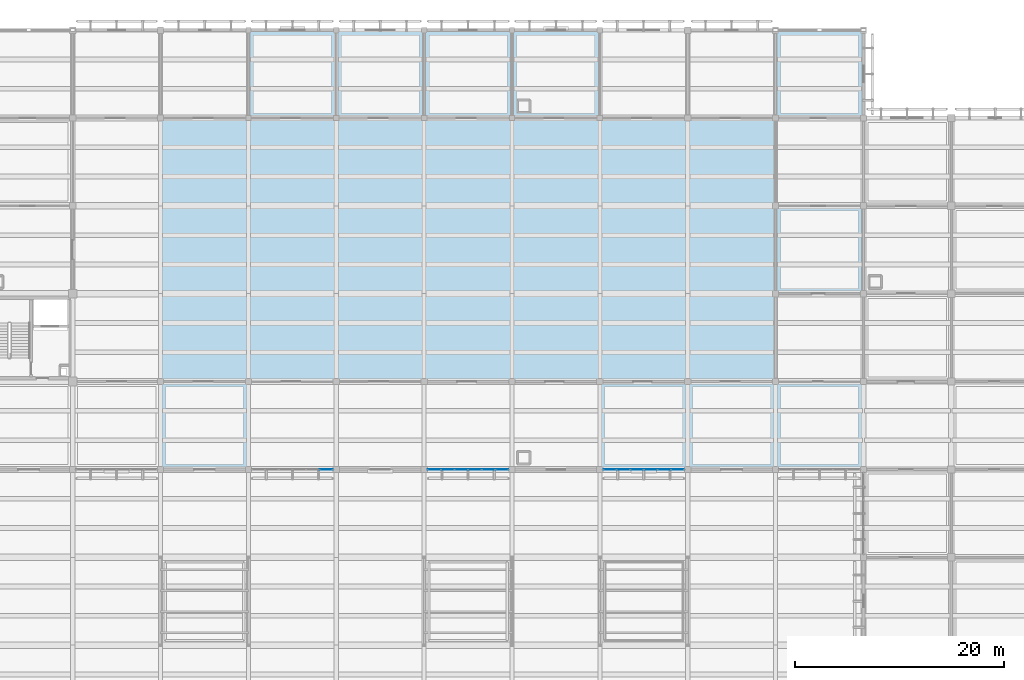
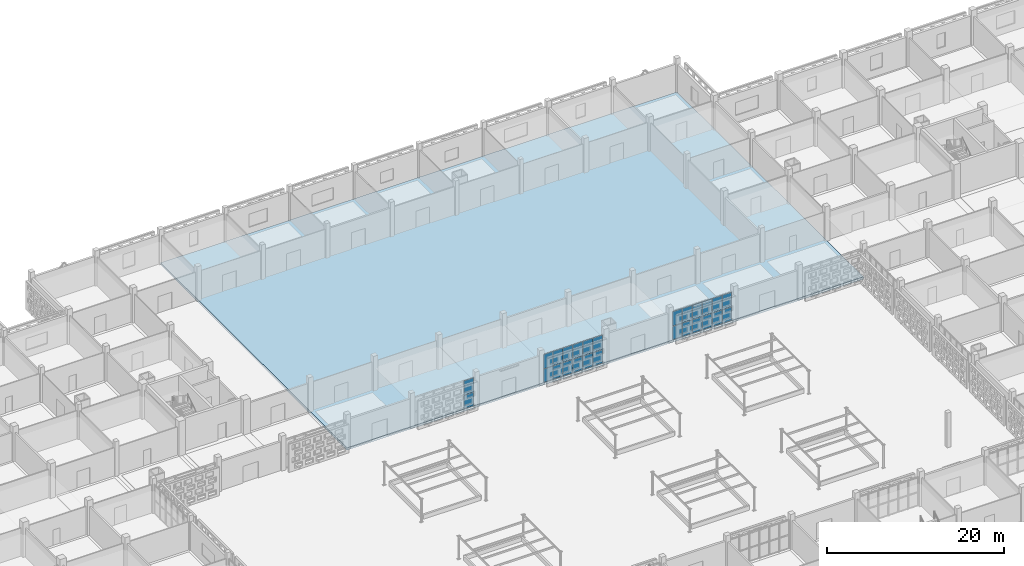
# One storey, part 50 of 129: 26 plates, 1 slab, 3 elements without a shape of their own.
"""IFC4 building model written with IfcOpenShell, lengths in metres."""

from ifc_helpers import new_model, si_unit, direction, frame, origin, origin_2d, place, context, subcontext, project, spatial, polyline, rectangle, outline, extrude, material, layer, layer_set, type_object, element, aggregate, save


model = new_model("IFC4")

# Units and contexts
model_context = context("Model", 3, precision=1e-05, world=origin(), true_north=direction((0.0, 1.0)))
body_context = subcontext(model_context, "Body", "Model", "MODEL_VIEW")
ifc_project = project(units=[si_unit("LENGTHUNIT", "METRE"), si_unit("AREAUNIT", "SQUARE_METRE"), si_unit("VOLUMEUNIT", "CUBIC_METRE"), si_unit("PLANEANGLEUNIT", "RADIAN"), si_unit("MASSUNIT", "GRAM", prefix="KILO")], contexts=[model_context])

# Site, building, storey
site_placement = place(None, origin())
site = spatial("IfcSite", under=ifc_project, at=site_placement, CompositionType="ELEMENT")
building_placement = place(site_placement, origin())
building = spatial("IfcBuilding", under=site, at=building_placement, Name="Varnapada Polytechnic", CompositionType="ELEMENT")
storey_placement = place(building_placement, origin())
storey = spatial("IfcBuildingStorey", under=building, at=storey_placement, Name="L00", CompositionType="ELEMENT", Elevation=0.0)

# Curtain wall, plates
ifc_material_1 = material(Name="Double low-E laminated glass", Category="glass")
ifc_layer_1 = layer(ifc_material_1, 0.159912109375)
ifc_layer_set_1 = layer_set([ifc_layer_1], Name="Double low-E laminated glass")
curtain_wall_type = type_object("IfcCurtainWallType", Name="Curtain Wall CW-01", PredefinedType="NOTDEFINED", material=ifc_layer_set_1)
curtain_wall_1_placement = place(storey_placement, origin())
curtain_wall_1 = element("IfcCurtainWall", 1, at=curtain_wall_1_placement, inside=storey, type_object=curtain_wall_type, Name="L00 unitised curtain wall CW-01 (9)", PredefinedType="NOTDEFINED")
ifc_layer_2 = layer(ifc_material_1, 0.028076171875)
ifc_layer_set_2 = layer_set([ifc_layer_2], Name="Double low-E laminated glass")
plate_type = type_object("IfcPlateType", Name="Curtain Panel PNL-01", PredefinedType="CURTAIN_PANEL", material=ifc_layer_set_2)
plate_1_placement = place(storey_placement, frame((83.034912109375, 84.0, 0.06005859375), z_axis=(0.0, 0.0, 1.0), x_axis=(-1.0, 0.0, 0.0)))
plate_1 = element("IfcPlate", 2, at=plate_1_placement, type_object=plate_type, Name="CW-01 panel 1.1", PredefinedType="CURTAIN_PANEL", context=body_context, shape_type="SweptSolid", body=[
    extrude(rectangle(XDim=1.2099609375, YDim=0.028076171875, at=origin_2d()), origin(), (0.0, 0.0, 1.0), 1.810791015625),
])
plate_2_placement = place(storey_placement, frame((83.034912109375, 84.0, 1.9306640625), z_axis=(0.0, 0.0, 1.0), x_axis=(-1.0, 0.0, 0.0)))
plate_2 = element("IfcPlate", 3, at=plate_2_placement, type_object=plate_type, Name="CW-01 panel 1.2", PredefinedType="CURTAIN_PANEL", context=body_context, shape_type="SweptSolid", body=[
    extrude(rectangle(XDim=1.2099609375, YDim=0.028076171875, at=origin_2d()), origin(), (0.0, 0.0, 1.0), 1.96923828125),
])
aggregate(curtain_wall_1, [plate_1, plate_2])

curtain_wall_2_placement = place(storey_placement, origin())
curtain_wall_2 = element("IfcCurtainWall", 4, at=curtain_wall_2_placement, inside=storey, type_object=curtain_wall_type, Name="L00 unitised curtain wall CW-01 (11)", PredefinedType="NOTDEFINED")
plate_3_placement = place(storey_placement, frame((99.8349609375, 84.0, 0.06005859375), z_axis=(0.0, 0.0, 1.0), x_axis=(-1.0, 0.0, 0.0)))
plate_3 = element("IfcPlate", 5, at=plate_3_placement, type_object=plate_type, Name="CW-01 panel 1.1", PredefinedType="CURTAIN_PANEL", context=body_context, shape_type="SweptSolid", body=[
    extrude(rectangle(XDim=1.2099609375, YDim=0.028076171875, at=origin_2d()), origin(), (0.0, 0.0, 1.0), 1.810791015625),
])
plate_4_placement = place(storey_placement, frame((99.8349609375, 84.0, 1.9306640625), z_axis=(0.0, 0.0, 1.0), x_axis=(-1.0, 0.0, 0.0)))
plate_4 = element("IfcPlate", 6, at=plate_4_placement, type_object=plate_type, Name="CW-01 panel 1.2", PredefinedType="CURTAIN_PANEL", context=body_context, shape_type="SweptSolid", body=[
    extrude(rectangle(XDim=1.2099609375, YDim=0.028076171875, at=origin_2d()), origin(), (0.0, 0.0, 1.0), 1.96923828125),
])
plate_5_placement = place(storey_placement, frame((98.550048828125, 84.0, 0.06005859375), z_axis=(0.0, 0.0, 1.0), x_axis=(-1.0, 0.0, 0.0)))
plate_5 = element("IfcPlate", 7, at=plate_5_placement, type_object=plate_type, Name="CW-01 panel 2.1", PredefinedType="CURTAIN_PANEL", context=body_context, shape_type="SweptSolid", body=[
    extrude(rectangle(XDim=1.239990234375, YDim=0.028076171875, at=origin_2d()), origin(), (0.0, 0.0, 1.0), 1.810791015625),
])
plate_6_placement = place(storey_placement, frame((98.550048828125, 84.0, 1.9306640625), z_axis=(0.0, 0.0, 1.0), x_axis=(-1.0, 0.0, 0.0)))
plate_6 = element("IfcPlate", 8, at=plate_6_placement, type_object=plate_type, Name="CW-01 panel 2.2", PredefinedType="CURTAIN_PANEL", context=body_context, shape_type="SweptSolid", body=[
    extrude(rectangle(XDim=1.239990234375, YDim=0.028076171875, at=origin_2d()), origin(), (0.0, 0.0, 1.0), 1.96923828125),
])
plate_7_placement = place(storey_placement, frame((97.25, 84.0, 0.06005859375), z_axis=(0.0, 0.0, 1.0), x_axis=(-1.0, 0.0, 0.0)))
plate_7 = element("IfcPlate", 9, at=plate_7_placement, type_object=plate_type, Name="CW-01 panel 3.1", PredefinedType="CURTAIN_PANEL", context=body_context, shape_type="SweptSolid", body=[
    extrude(rectangle(XDim=1.239990234375, YDim=0.028076171875, at=origin_2d()), origin(), (0.0, 0.0, 1.0), 1.810791015625),
])
plate_8_placement = place(storey_placement, frame((97.25, 84.0, 1.9306640625), z_axis=(0.0, 0.0, 1.0), x_axis=(-1.0, 0.0, 0.0)))
plate_8 = element("IfcPlate", 10, at=plate_8_placement, type_object=plate_type, Name="CW-01 panel 3.2", PredefinedType="CURTAIN_PANEL", context=body_context, shape_type="SweptSolid", body=[
    extrude(rectangle(XDim=1.239990234375, YDim=0.028076171875, at=origin_2d()), origin(), (0.0, 0.0, 1.0), 1.96923828125),
])
plate_9_placement = place(storey_placement, frame((95.949951171875, 84.0, 0.06005859375), z_axis=(0.0, 0.0, 1.0), x_axis=(-1.0, 0.0, 0.0)))
plate_9 = element("IfcPlate", 11, at=plate_9_placement, type_object=plate_type, Name="CW-01 panel 4.1", PredefinedType="CURTAIN_PANEL", context=body_context, shape_type="SweptSolid", body=[
    extrude(rectangle(XDim=1.239990234375, YDim=0.028076171875, at=origin_2d()), origin(), (0.0, 0.0, 1.0), 1.810791015625),
])
plate_10_placement = place(storey_placement, frame((95.949951171875, 84.0, 1.9306640625), z_axis=(0.0, 0.0, 1.0), x_axis=(-1.0, 0.0, 0.0)))
plate_10 = element("IfcPlate", 12, at=plate_10_placement, type_object=plate_type, Name="CW-01 panel 4.2", PredefinedType="CURTAIN_PANEL", context=body_context, shape_type="SweptSolid", body=[
    extrude(rectangle(XDim=1.239990234375, YDim=0.028076171875, at=origin_2d()), origin(), (0.0, 0.0, 1.0), 1.96923828125),
])
plate_11_placement = place(storey_placement, frame((94.64990234375, 84.0, 0.06005859375), z_axis=(0.0, 0.0, 1.0), x_axis=(-1.0, 0.0, 0.0)))
plate_11 = element("IfcPlate", 13, at=plate_11_placement, type_object=plate_type, Name="CW-01 panel 5.1", PredefinedType="CURTAIN_PANEL", context=body_context, shape_type="SweptSolid", body=[
    extrude(rectangle(XDim=1.239990234375, YDim=0.028076171875, at=origin_2d()), origin(), (0.0, 0.0, 1.0), 1.810791015625),
])
plate_12_placement = place(storey_placement, frame((94.64990234375, 84.0, 1.9306640625), z_axis=(0.0, 0.0, 1.0), x_axis=(-1.0, 0.0, 0.0)))
plate_12 = element("IfcPlate", 14, at=plate_12_placement, type_object=plate_type, Name="CW-01 panel 5.2", PredefinedType="CURTAIN_PANEL", context=body_context, shape_type="SweptSolid", body=[
    extrude(rectangle(XDim=1.239990234375, YDim=0.028076171875, at=origin_2d()), origin(), (0.0, 0.0, 1.0), 1.96923828125),
])
plate_13_placement = place(storey_placement, frame((93.364990234375, 84.0, 0.06005859375), z_axis=(0.0, 0.0, 1.0), x_axis=(-1.0, 0.0, 0.0)))
plate_13 = element("IfcPlate", 15, at=plate_13_placement, type_object=plate_type, Name="CW-01 panel 6.1", PredefinedType="CURTAIN_PANEL", context=body_context, shape_type="SweptSolid", body=[
    extrude(rectangle(XDim=1.2099609375, YDim=0.028076171875, at=origin_2d()), origin(), (0.0, 0.0, 1.0), 1.810791015625),
])
plate_14_placement = place(storey_placement, frame((93.364990234375, 84.0, 1.9306640625), z_axis=(0.0, 0.0, 1.0), x_axis=(-1.0, 0.0, 0.0)))
plate_14 = element("IfcPlate", 16, at=plate_14_placement, type_object=plate_type, Name="CW-01 panel 6.2", PredefinedType="CURTAIN_PANEL", context=body_context, shape_type="SweptSolid", body=[
    extrude(rectangle(XDim=1.2099609375, YDim=0.028076171875, at=origin_2d()), origin(), (0.0, 0.0, 1.0), 1.96923828125),
])
aggregate(curtain_wall_2, [plate_3, plate_4, plate_5, plate_6, plate_7, plate_8, plate_9, plate_10, plate_11, plate_12, plate_13, plate_14])

curtain_wall_3_placement = place(storey_placement, origin())
curtain_wall_3 = element("IfcCurtainWall", 17, at=curtain_wall_3_placement, inside=storey, type_object=curtain_wall_type, Name="L00 unitised curtain wall CW-01 (13)", PredefinedType="NOTDEFINED")
plate_15_placement = place(storey_placement, frame((116.635009765625, 84.0, 0.06005859375), z_axis=(0.0, 0.0, 1.0), x_axis=(-1.0, 0.0, 0.0)))
plate_15 = element("IfcPlate", 18, at=plate_15_placement, type_object=plate_type, Name="CW-01 panel 1.1", PredefinedType="CURTAIN_PANEL", context=body_context, shape_type="SweptSolid", body=[
    extrude(rectangle(XDim=1.2099609375, YDim=0.028076171875, at=origin_2d()), origin(), (0.0, 0.0, 1.0), 1.810791015625),
])
plate_16_placement = place(storey_placement, frame((116.635009765625, 84.0, 1.9306640625), z_axis=(0.0, 0.0, 1.0), x_axis=(-1.0, 0.0, 0.0)))
plate_16 = element("IfcPlate", 19, at=plate_16_placement, type_object=plate_type, Name="CW-01 panel 1.2", PredefinedType="CURTAIN_PANEL", context=body_context, shape_type="SweptSolid", body=[
    extrude(rectangle(XDim=1.2099609375, YDim=0.028076171875, at=origin_2d()), origin(), (0.0, 0.0, 1.0), 1.96923828125),
])
plate_17_placement = place(storey_placement, frame((115.35009765625, 84.0, 0.06005859375), z_axis=(0.0, 0.0, 1.0), x_axis=(-1.0, 0.0, 0.0)))
plate_17 = element("IfcPlate", 20, at=plate_17_placement, type_object=plate_type, Name="CW-01 panel 2.1", PredefinedType="CURTAIN_PANEL", context=body_context, shape_type="SweptSolid", body=[
    extrude(rectangle(XDim=1.239990234375, YDim=0.028076171875, at=origin_2d()), origin(), (0.0, 0.0, 1.0), 1.810791015625),
])
plate_18_placement = place(storey_placement, frame((115.35009765625, 84.0, 1.9306640625), z_axis=(0.0, 0.0, 1.0), x_axis=(-1.0, 0.0, 0.0)))
plate_18 = element("IfcPlate", 21, at=plate_18_placement, type_object=plate_type, Name="CW-01 panel 2.2", PredefinedType="CURTAIN_PANEL", context=body_context, shape_type="SweptSolid", body=[
    extrude(rectangle(XDim=1.239990234375, YDim=0.028076171875, at=origin_2d()), origin(), (0.0, 0.0, 1.0), 1.96923828125),
])
plate_19_placement = place(storey_placement, frame((114.050048828125, 84.0, 0.06005859375), z_axis=(0.0, 0.0, 1.0), x_axis=(-1.0, 0.0, 0.0)))
plate_19 = element("IfcPlate", 22, at=plate_19_placement, type_object=plate_type, Name="CW-01 panel 3.1", PredefinedType="CURTAIN_PANEL", context=body_context, shape_type="SweptSolid", body=[
    extrude(rectangle(XDim=1.239990234375, YDim=0.028076171875, at=origin_2d()), origin(), (0.0, 0.0, 1.0), 1.810791015625),
])
plate_20_placement = place(storey_placement, frame((114.050048828125, 84.0, 1.9306640625), z_axis=(0.0, 0.0, 1.0), x_axis=(-1.0, 0.0, 0.0)))
plate_20 = element("IfcPlate", 23, at=plate_20_placement, type_object=plate_type, Name="CW-01 panel 3.2", PredefinedType="CURTAIN_PANEL", context=body_context, shape_type="SweptSolid", body=[
    extrude(rectangle(XDim=1.239990234375, YDim=0.028076171875, at=origin_2d()), origin(), (0.0, 0.0, 1.0), 1.96923828125),
])
plate_21_placement = place(storey_placement, frame((112.75, 84.0, 0.06005859375), z_axis=(0.0, 0.0, 1.0), x_axis=(-1.0, 0.0, 0.0)))
plate_21 = element("IfcPlate", 24, at=plate_21_placement, type_object=plate_type, Name="CW-01 panel 4.1", PredefinedType="CURTAIN_PANEL", context=body_context, shape_type="SweptSolid", body=[
    extrude(rectangle(XDim=1.239990234375, YDim=0.028076171875, at=origin_2d()), origin(), (0.0, 0.0, 1.0), 1.810791015625),
])
plate_22_placement = place(storey_placement, frame((112.75, 84.0, 1.9306640625), z_axis=(0.0, 0.0, 1.0), x_axis=(-1.0, 0.0, 0.0)))
plate_22 = element("IfcPlate", 25, at=plate_22_placement, type_object=plate_type, Name="CW-01 panel 4.2", PredefinedType="CURTAIN_PANEL", context=body_context, shape_type="SweptSolid", body=[
    extrude(rectangle(XDim=1.239990234375, YDim=0.028076171875, at=origin_2d()), origin(), (0.0, 0.0, 1.0), 1.96923828125),
])
plate_23_placement = place(storey_placement, frame((111.449951171875, 84.0, 0.06005859375), z_axis=(0.0, 0.0, 1.0), x_axis=(-1.0, 0.0, 0.0)))
plate_23 = element("IfcPlate", 26, at=plate_23_placement, type_object=plate_type, Name="CW-01 panel 5.1", PredefinedType="CURTAIN_PANEL", context=body_context, shape_type="SweptSolid", body=[
    extrude(rectangle(XDim=1.239990234375, YDim=0.028076171875, at=origin_2d()), origin(), (0.0, 0.0, 1.0), 1.810791015625),
])
plate_24_placement = place(storey_placement, frame((111.449951171875, 84.0, 1.9306640625), z_axis=(0.0, 0.0, 1.0), x_axis=(-1.0, 0.0, 0.0)))
plate_24 = element("IfcPlate", 27, at=plate_24_placement, type_object=plate_type, Name="CW-01 panel 5.2", PredefinedType="CURTAIN_PANEL", context=body_context, shape_type="SweptSolid", body=[
    extrude(rectangle(XDim=1.239990234375, YDim=0.028076171875, at=origin_2d()), origin(), (0.0, 0.0, 1.0), 1.96923828125),
])
plate_25_placement = place(storey_placement, frame((110.1650390625, 84.0, 0.06005859375), z_axis=(0.0, 0.0, 1.0), x_axis=(-1.0, 0.0, 0.0)))
plate_25 = element("IfcPlate", 28, at=plate_25_placement, type_object=plate_type, Name="CW-01 panel 6.1", PredefinedType="CURTAIN_PANEL", context=body_context, shape_type="SweptSolid", body=[
    extrude(rectangle(XDim=1.2099609375, YDim=0.028076171875, at=origin_2d()), origin(), (0.0, 0.0, 1.0), 1.810791015625),
])
plate_26_placement = place(storey_placement, frame((110.1650390625, 84.0, 1.9306640625), z_axis=(0.0, 0.0, 1.0), x_axis=(-1.0, 0.0, 0.0)))
plate_26 = element("IfcPlate", 29, at=plate_26_placement, type_object=plate_type, Name="CW-01 panel 6.2", PredefinedType="CURTAIN_PANEL", context=body_context, shape_type="SweptSolid", body=[
    extrude(rectangle(XDim=1.2099609375, YDim=0.028076171875, at=origin_2d()), origin(), (0.0, 0.0, 1.0), 1.96923828125),
])
aggregate(curtain_wall_3, [plate_15, plate_16, plate_17, plate_18, plate_19, plate_20, plate_21, plate_22, plate_23, plate_24, plate_25, plate_26])

# Slab
ifc_material_2 = material(Name="Concrete C40/50", Category="concrete")
ifc_layer_3 = layer(ifc_material_2, 0.320068359375)
ifc_layer_set_3 = layer_set([ifc_layer_3], Name="Concrete C40/50")
slab_type = type_object("IfcSlabType", Name="L00 heavy engineering workshop slab SL-02", PredefinedType="FLOOR", material=ifc_layer_set_3)
slab_placement = place(storey_placement, frame((0.0, 0.0, -0.320068359375)))
element("IfcSlab", 30, at=slab_placement, inside=storey, type_object=slab_type, Name="L00 V1 slab 2.1", PredefinedType="FLOOR", context=body_context, shape_type="SweptSolid", body=[
    extrude(outline(polyline([(67.199951171875, 117.60009765625), (67.199951171875, 126.0), (75.60009765625, 126.0), (84.0, 126.0), (92.39990234375, 126.0), (100.800048828125, 126.0), (109.199951171875, 126.0), (117.60009765625, 126.0), (126.0, 126.0), (134.39990234375, 126.0), (134.39990234375, 117.60009765625), (134.39990234375, 109.199951171875), (134.39990234375, 100.800048828125), (134.39990234375, 92.39990234375), (134.39990234375, 84.0), (126.0, 84.0), (117.60009765625, 84.0), (109.199951171875, 84.0), (100.800048828125, 84.0), (92.39990234375, 84.0), (84.0, 84.0), (75.60009765625, 84.0), (67.199951171875, 84.0), (67.199951171875, 92.39990234375), (67.199951171875, 100.800048828125), (67.199951171875, 109.199951171875), (67.199951171875, 117.60009765625)])), origin(), (0.0, 0.0, 1.0), 0.320068359375),
])

save(model, "model.ifc")
